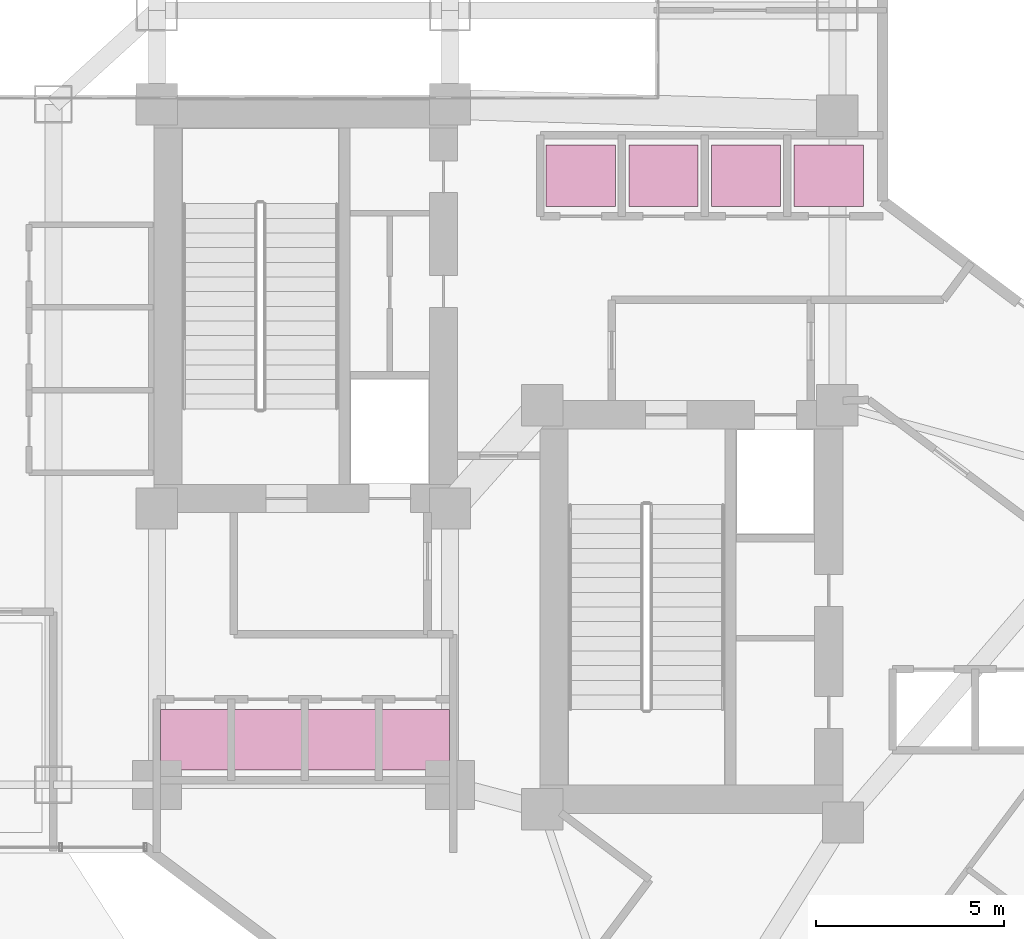
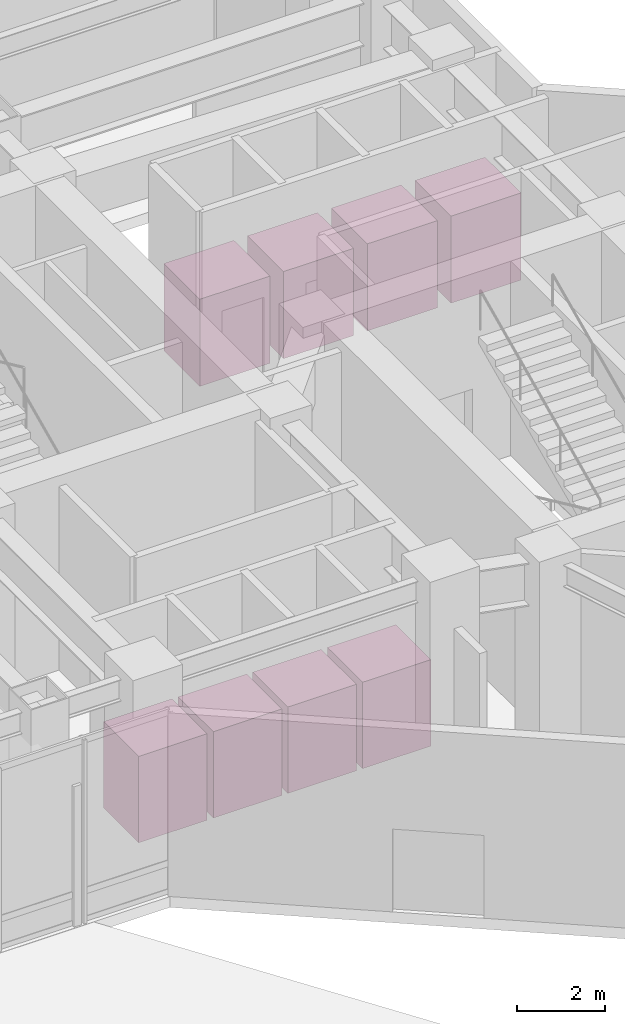
# One storey, part 13 of 13: 8 transport elements.
"""IFC4 building model written with IfcOpenShell, lengths in metres."""

from ifc_helpers import new_model, si_unit, direction, frame, origin, origin_2d, place, context, subcontext, project, spatial, rectangle, extrude, material, type_object, element, save


model = new_model("IFC4")

# Units and contexts
model_context = context("Model", 3, precision=1e-05, world=origin(), true_north=direction((0.0, 1.0)))
body_context = subcontext(model_context, "Body", "Model", "MODEL_VIEW")
ifc_project = project(units=[si_unit("LENGTHUNIT", "METRE"), si_unit("AREAUNIT", "SQUARE_METRE"), si_unit("VOLUMEUNIT", "CUBIC_METRE"), si_unit("PLANEANGLEUNIT", "RADIAN"), si_unit("MASSUNIT", "GRAM", prefix="KILO")], contexts=[model_context])

# Site, building, storey
site_placement = place(None, origin())
site = spatial("IfcSite", under=ifc_project, at=site_placement, CompositionType="ELEMENT")
building_placement = place(site_placement, origin())
building = spatial("IfcBuilding", under=site, at=building_placement, Name="Hatsunagi Terrace Concourse", CompositionType="ELEMENT")
storey_placement = place(building_placement, origin())
storey = spatial("IfcBuildingStorey", under=building, at=storey_placement, Name="L01", CompositionType="ELEMENT", Elevation=0.0)

# Transport elements
ifc_material_1 = material(Name="Stainless steel", Category="steel")
transport_element_type_1 = type_object("IfcTransportElementType", Name="LIFT-PB1-1600", PredefinedType="ELEVATOR", material=ifc_material_1)
for number, where, z_axis, x_axis, name in (
    (1, (26.550048828125, 26.39990234375, 0.0), (0.0, 0.0, 1.0), (1.0, 0.0, 0.0), "Low-Rise Passenger Lift PL-01"),
    (2, (28.510009765625, 26.39990234375, 0.0), (0.0, 0.0, 1.0), (1.0, 0.0, 0.0), "Low-Rise Passenger Lift PL-02"),
    (3, (30.469970703125, 26.39990234375, 0.0), (0.0, 0.0, 1.0), (1.0, 0.0, 0.0), "Low-Rise Passenger Lift PL-03"),
    (4, (32.429931640625, 26.39990234375, 0.0), (0.0, 0.0, 1.0), (1.0, 0.0, 0.0), "Low-Rise Passenger Lift PL-04"),
):
    element("IfcTransportElement", number, at=place(storey_placement, frame(where, z_axis=z_axis, x_axis=x_axis)), inside=storey, type_object=transport_element_type_1, Name=name, PredefinedType="ELEVATOR", context=body_context, shape_type="SweptSolid", body=[
        extrude(rectangle(XDim=1.800048828125, YDim=1.60009765625, at=origin_2d()), origin(), (0.0, 0.0, 1.0), 2.39990234375),
    ])
ifc_material_2 = material(Name="Stainless steel", Category="steel")
transport_element_type_2 = type_object("IfcTransportElementType", Name="LIFT-PB2-1800", PredefinedType="ELEVATOR", material=ifc_material_2)
for number, where, z_axis, x_axis, name in (
    (5, (36.824951171875, 41.39990234375, 0.0), (0.0, 0.0, 1.0), (1.0, 0.0, 0.0), "High-Rise Passenger Lift PL-05"),
    (6, (39.02490234375, 41.39990234375, 0.0), (0.0, 0.0, 1.0), (1.0, 0.0, 0.0), "High-Rise Passenger Lift PL-06"),
    (7, (41.22509765625, 41.39990234375, 0.0), (0.0, 0.0, 1.0), (1.0, 0.0, 0.0), "High-Rise Passenger Lift PL-07"),
    (8, (43.425048828125, 41.39990234375, 0.0), (0.0, 0.0, 1.0), (1.0, 0.0, 0.0), "High-Rise Passenger Lift PL-08"),
):
    element("IfcTransportElement", number, at=place(storey_placement, frame(where, z_axis=z_axis, x_axis=x_axis)), inside=storey, type_object=transport_element_type_2, Name=name, PredefinedType="ELEVATOR", context=body_context, shape_type="SweptSolid", body=[
        extrude(rectangle(XDim=1.840087890625, YDim=1.639892578125, at=origin_2d()), origin(), (0.0, 0.0, 1.0), 2.419921875),
    ])

save(model, "model.ifc")
